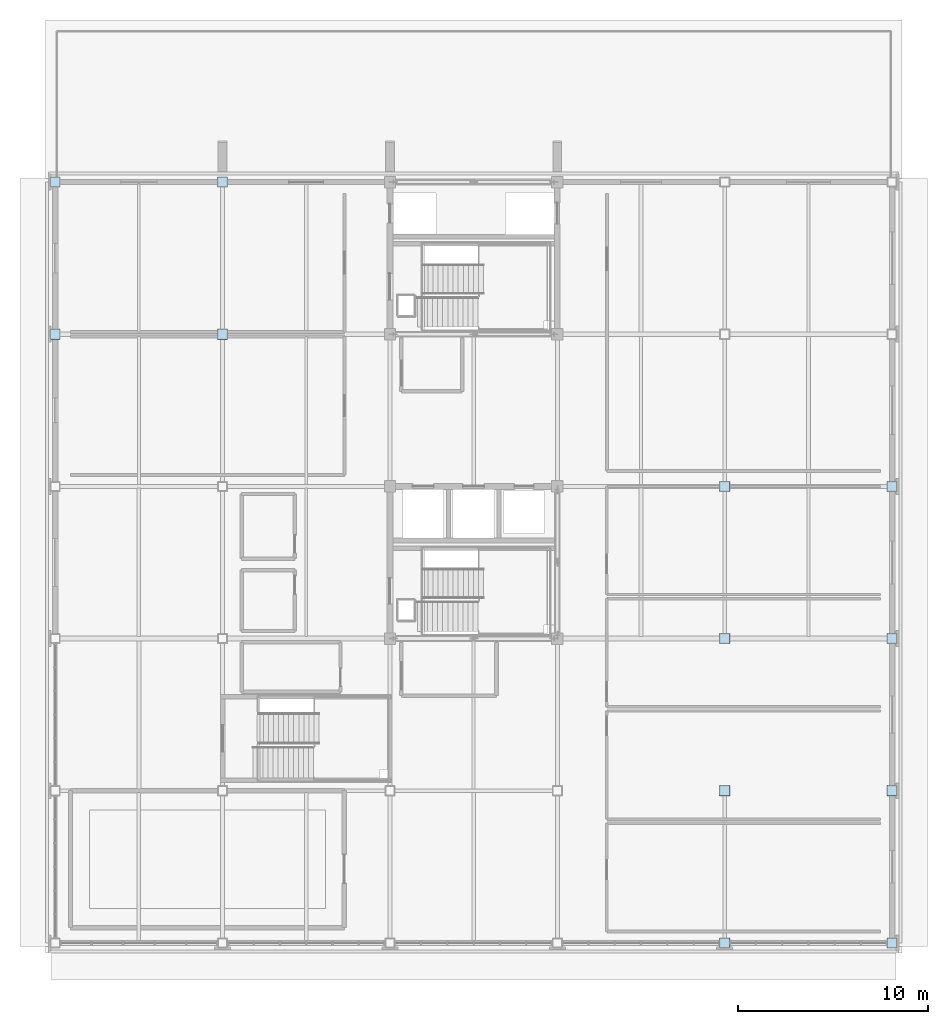
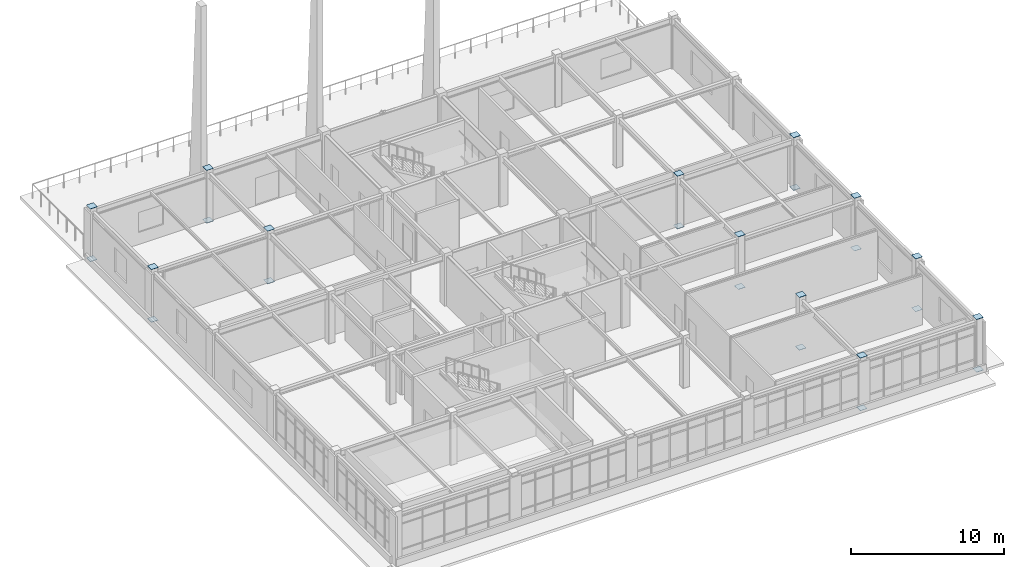
# One storey, part 12 of 22: 24 plates.
"""IFC4 building model written with IfcOpenShell, lengths in metres."""

from ifc_helpers import new_model, si_unit, direction, frame, origin, origin_2d, place, context, subcontext, project, spatial, rectangle, extrude, material, layer, layer_set, type_object, element, save


model = new_model("IFC4")

# Units and contexts
model_context = context("Model", 3, precision=1e-05, world=origin(), true_north=direction((0.0, 1.0)))
body_context = subcontext(model_context, "Body", "Model", "MODEL_VIEW")
ifc_project = project(units=[si_unit("LENGTHUNIT", "METRE"), si_unit("AREAUNIT", "SQUARE_METRE"), si_unit("VOLUMEUNIT", "CUBIC_METRE"), si_unit("PLANEANGLEUNIT", "RADIAN"), si_unit("MASSUNIT", "GRAM", prefix="KILO")], contexts=[model_context])

# Site, building, storey
site_placement = place(None, origin())
site = spatial("IfcSite", under=ifc_project, at=site_placement, CompositionType="ELEMENT")
building_placement = place(site_placement, origin())
building = spatial("IfcBuilding", under=site, at=building_placement, Name="Zhaolan Boulevard Law Courts", CompositionType="ELEMENT")
storey_placement = place(building_placement, frame((0.0, 0.0, 28.800048828125)))
storey = spatial("IfcBuildingStorey", under=building, at=storey_placement, Name="L06", CompositionType="ELEMENT", Elevation=28.800048828125)

# Plates
ifc_material = material(Name="Structural steel Q355B", Category="steel")
ifc_layer = layer(ifc_material, 0.02001953125)
ifc_layer_set = layer_set([ifc_layer])
plate_type = type_object("IfcPlateType", Name="END CAP PLATE 20", PredefinedType="SHEET", material=ifc_layer_set)
for number, where, z_axis, x_axis, name in (
    (1, (0.0, 62.0, -0.01806640625), (0.0, 0.0, 1.0), (1.0, 0.0, 0.0), "Hollow Section End-Cap Plate ECP-0101"),
    (2, (0.0, 62.0, 4.197998046875), (0.0, 0.0, 1.0), (1.0, 0.0, 0.0), "Hollow Section End-Cap Plate ECP-0102"),
    (3, (0.0, 70.0, -0.01806640625), (0.0, 0.0, 1.0), (1.0, 0.0, 0.0), "Hollow Section End-Cap Plate ECP-0123"),
    (4, (0.0, 70.0, 4.197998046875), (0.0, 0.0, 1.0), (1.0, 0.0, 0.0), "Hollow Section End-Cap Plate ECP-0124"),
    (5, (8.800048828125, 62.0, -0.01806640625), (0.0, 0.0, 1.0), (1.0, 0.0, 0.0), "Hollow Section End-Cap Plate ECP-0235"),
    (6, (8.800048828125, 62.0, 4.197998046875), (0.0, 0.0, 1.0), (1.0, 0.0, 0.0), "Hollow Section End-Cap Plate ECP-0236"),
    (7, (8.800048828125, 70.0, -0.01806640625), (0.0, 0.0, 1.0), (1.0, 0.0, 0.0), "Hollow Section End-Cap Plate ECP-0257"),
    (8, (8.800048828125, 70.0, 4.197998046875), (0.0, 0.0, 1.0), (1.0, 0.0, 0.0), "Hollow Section End-Cap Plate ECP-0258"),
    (9, (35.199951171875, 30.0, -0.01806640625), (0.0, 0.0, 1.0), (1.0, 0.0, 0.0), "Hollow Section End-Cap Plate ECP-0371"),
    (10, (35.199951171875, 30.0, 4.197998046875), (0.0, 0.0, 1.0), (1.0, 0.0, 0.0), "Hollow Section End-Cap Plate ECP-0372"),
    (11, (35.199951171875, 38.0, -0.01806640625), (0.0, 0.0, 1.0), (1.0, 0.0, 0.0), "Hollow Section End-Cap Plate ECP-0391"),
    (12, (35.199951171875, 38.0, 4.197998046875), (0.0, 0.0, 1.0), (1.0, 0.0, 0.0), "Hollow Section End-Cap Plate ECP-0392"),
    (13, (35.199951171875, 46.0, -0.01806640625), (0.0, 0.0, 1.0), (1.0, 0.0, 0.0), "Hollow Section End-Cap Plate ECP-0413"),
    (14, (35.199951171875, 46.0, 4.197998046875), (0.0, 0.0, 1.0), (1.0, 0.0, 0.0), "Hollow Section End-Cap Plate ECP-0414"),
    (15, (35.199951171875, 54.0, -0.01806640625), (0.0, 0.0, 1.0), (1.0, 0.0, 0.0), "Hollow Section End-Cap Plate ECP-0435"),
    (16, (35.199951171875, 54.0, 4.197998046875), (0.0, 0.0, 1.0), (1.0, 0.0, 0.0), "Hollow Section End-Cap Plate ECP-0436"),
    (17, (44.0, 30.0, -0.01806640625), (0.0, 0.0, 1.0), (1.0, 0.0, 0.0), "Hollow Section End-Cap Plate ECP-0501"),
    (18, (44.0, 30.0, 4.197998046875), (0.0, 0.0, 1.0), (1.0, 0.0, 0.0), "Hollow Section End-Cap Plate ECP-0502"),
    (19, (44.0, 38.0, -0.01806640625), (0.0, 0.0, 1.0), (1.0, 0.0, 0.0), "Hollow Section End-Cap Plate ECP-0519"),
    (20, (44.0, 38.0, 4.197998046875), (0.0, 0.0, 1.0), (1.0, 0.0, 0.0), "Hollow Section End-Cap Plate ECP-0520"),
    (21, (44.0, 46.0, -0.01806640625), (0.0, 0.0, 1.0), (1.0, 0.0, 0.0), "Hollow Section End-Cap Plate ECP-0537"),
    (22, (44.0, 46.0, 4.197998046875), (0.0, 0.0, 1.0), (1.0, 0.0, 0.0), "Hollow Section End-Cap Plate ECP-0538"),
    (23, (44.0, 54.0, -0.01806640625), (0.0, 0.0, 1.0), (1.0, 0.0, 0.0), "Hollow Section End-Cap Plate ECP-0555"),
    (24, (44.0, 54.0, 4.197998046875), (0.0, 0.0, 1.0), (1.0, 0.0, 0.0), "Hollow Section End-Cap Plate ECP-0556"),
):
    element("IfcPlate", number, at=place(storey_placement, frame(where, z_axis=z_axis, x_axis=x_axis)), inside=storey, type_object=plate_type, Name=name, PredefinedType="SHEET", context=body_context, shape_type="SweptSolid", body=[
        extrude(rectangle(XDim=0.530029296875, YDim=0.530029296875, at=origin_2d()), origin(), (0.0, 0.0, 1.0), 0.02001953125),
    ])

save(model, "model.ifc")
